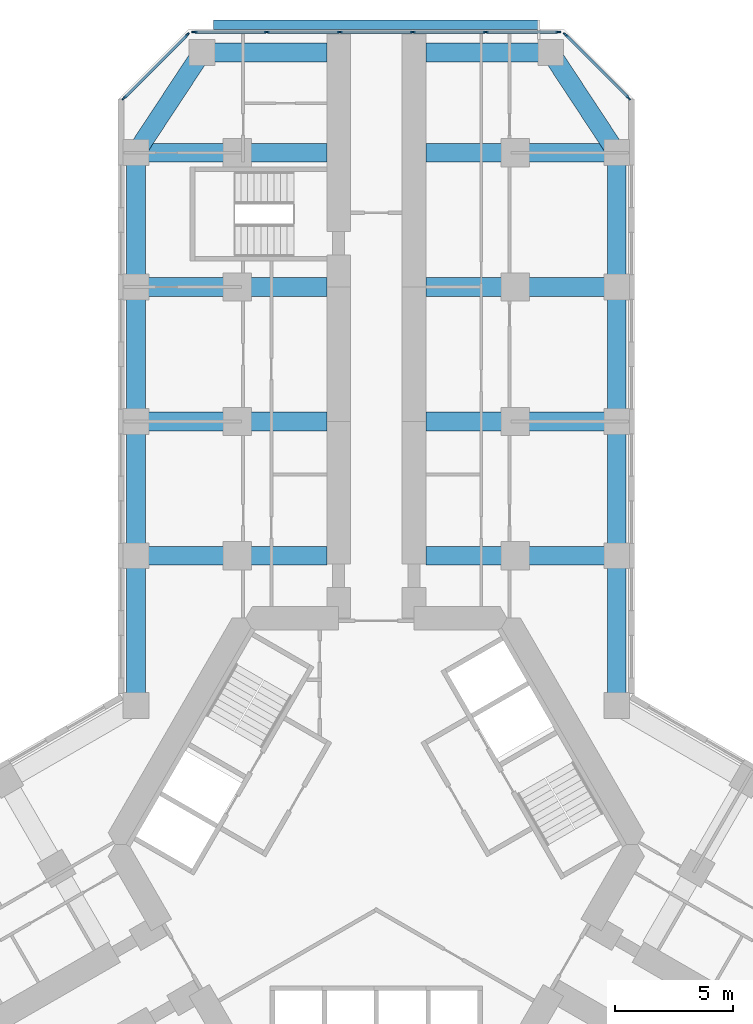
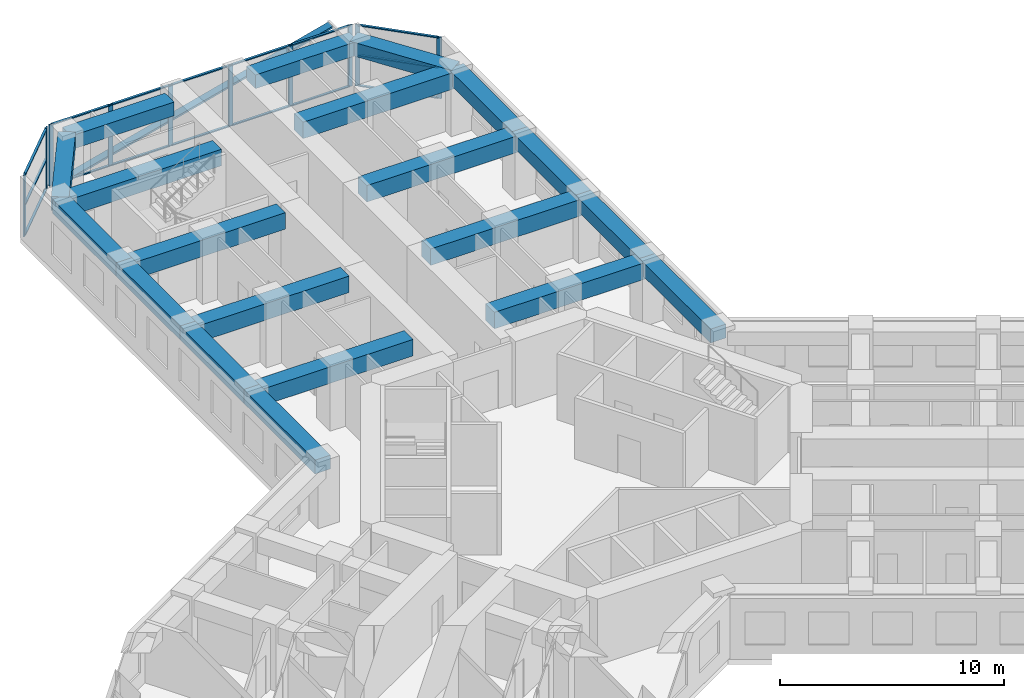
# One storey, part 5 of 18: 27 members, 20 beams, 3 elements without a shape of their own.
"""IFC4 building model written with IfcOpenShell, lengths in metres."""

from ifc_helpers import new_model, si_unit, direction, frame, origin, origin_2d, place, context, subcontext, project, spatial, rectangle, extrude, material, material_profile, profile_set, type_object, element, aggregate, save


model = new_model("IFC4")

# Units and contexts
model_context = context("Model", 3, precision=1e-05, world=origin(), true_north=direction((0.0, 1.0)))
body_context = subcontext(model_context, "Body", "Model", "MODEL_VIEW")
ifc_project = project(units=[si_unit("LENGTHUNIT", "METRE"), si_unit("AREAUNIT", "SQUARE_METRE"), si_unit("VOLUMEUNIT", "CUBIC_METRE"), si_unit("PLANEANGLEUNIT", "RADIAN"), si_unit("MASSUNIT", "GRAM", prefix="KILO")], contexts=[model_context])

# Site, building, storey
site_placement = place(None, origin())
site = spatial("IfcSite", under=ifc_project, at=site_placement, CompositionType="ELEMENT")
building_placement = place(site_placement, origin())
building = spatial("IfcBuilding", under=site, at=building_placement, Name="Kosmar Iwan School Tower", CompositionType="ELEMENT")
storey_placement = place(building_placement, frame((0.0, 0.0, 25.199951171875)))
storey = spatial("IfcBuildingStorey", under=building, at=storey_placement, Name="L05", CompositionType="ELEMENT", Elevation=25.199951171875)

# Member
ifc_material_1 = material(Name="Black anodised aluminium", Category="aluminium")
ifc_material_profile_1 = material_profile(ifc_material_1, rectangle(XDim=0.10009765625, YDim=0.39990234375, at=origin_2d()), Name="FIN 100x400")
ifc_profile_set_1 = profile_set([ifc_material_profile_1], Name="Black anodised aluminium")
member_type_1 = type_object("IfcMemberType", Name="Diagonal fin 100x400", PredefinedType="USERDEFINED", material=ifc_profile_set_1)
member_1_placement = place(storey_placement, frame((-6.898193359375, 34.780029296875, -0.14990234375), z_axis=(0.967603633438, 0.0, 0.252474174041), x_axis=(-0.252474174041, 0.0, 0.967603633438)))
element("IfcMember", 1, at=member_1_placement, inside=storey, type_object=member_type_1, Name="Diagonal fin L05-F08", ObjectType="FIN", PredefinedType="USERDEFINED", context=body_context, shape_type="SweptSolid", body=[
    extrude(rectangle(XDim=0.10009765625, YDim=0.39990234375, at=origin_2d()), origin(), (0.0, 0.0, 1.0), 14.25830078125),
])

# Curtain wall, members
ifc_material_2 = material(Name="Dark glass in black aluminium frame", Category="aluminium")
curtain_wall_type_1 = type_object("IfcCurtainWallType", Name="Chamfer curtain wall dark glass", PredefinedType="USERDEFINED", material=ifc_material_2)
curtain_wall_1_placement = place(storey_placement, origin())
curtain_wall_1 = element("IfcCurtainWall", 2, at=curtain_wall_1_placement, inside=storey, type_object=curtain_wall_type_1, Name="Curtain wall L05-F07", ObjectType="FACETED CURTAIN WALL", PredefinedType="USERDEFINED")
ifc_material_3 = material(Name="Black anodised aluminium", Category="aluminium")
ifc_material_profile_2 = material_profile(ifc_material_3, rectangle(XDim=0.06494140625, YDim=0.219970703125, at=origin_2d()), Name="MULLION 65x220")
ifc_profile_set_2 = profile_set([ifc_material_profile_2], Name="Black anodised aluminium")
member_type_2 = type_object("IfcMemberType", Name="Podium mullion 65x220", PredefinedType="MULLION", material=ifc_profile_set_2)
member_2_placement = place(storey_placement, frame((10.696044921875, 31.67724609375, 0.0), z_axis=(0.0, 0.0, 1.0), x_axis=(-0.707106781187, -0.707106781187, 0.0)))
member_2 = element("IfcMember", 3, at=member_2_placement, type_object=member_type_2, Name="CW2 mullion 1", PredefinedType="MULLION", context=body_context, shape_type="SweptSolid", body=[
    extrude(rectangle(XDim=0.06494140625, YDim=0.219970703125, at=origin_2d()), origin(), (0.0, 0.0, 1.0), 3.35009765625),
])
member_3_placement = place(storey_placement, frame((8.02734375, 34.345947265625, 0.0), z_axis=(0.0, 0.0, 1.0), x_axis=(-0.707106781187, -0.707106781187, 0.0)))
member_3 = element("IfcMember", 4, at=member_3_placement, type_object=member_type_2, Name="CW2 mullion 2", PredefinedType="MULLION", context=body_context, shape_type="SweptSolid", body=[
    extrude(rectangle(XDim=0.06494140625, YDim=0.219970703125, at=origin_2d()), origin(), (0.0, 0.0, 1.0), 3.35009765625),
])

ifc_material_4 = material(Name="Dark glass in black aluminium frame", Category="aluminium")
curtain_wall_type_2 = type_object("IfcCurtainWallType", Name="Tower curtain wall dark glass", PredefinedType="USERDEFINED", material=ifc_material_4)
curtain_wall_2_placement = place(storey_placement, origin())
curtain_wall_2 = element("IfcCurtainWall", 5, at=curtain_wall_2_placement, inside=storey, type_object=curtain_wall_type_2, Name="Curtain wall L05-F08", ObjectType="UNITISED CURTAIN WALL", PredefinedType="USERDEFINED")
member_4_placement = place(storey_placement, frame((7.7158203125, 34.47509765625, 0.0), z_axis=(0.0, 0.0, 1.0), x_axis=(0.0, -1.0, 0.0)))
member_4 = element("IfcMember", 6, at=member_4_placement, type_object=member_type_2, Name="CW1 mullion 1", PredefinedType="MULLION", context=body_context, shape_type="SweptSolid", body=[
    extrude(rectangle(XDim=0.06494140625, YDim=0.219970703125, at=origin_2d()), origin(), (0.0, 0.0, 1.0), 3.35009765625),
])
member_5_placement = place(storey_placement, frame((4.64892578125, 34.47509765625, 0.0), z_axis=(0.0, 0.0, 1.0), x_axis=(0.0, -1.0, 0.0)))
member_5 = element("IfcMember", 7, at=member_5_placement, type_object=member_type_2, Name="CW1 mullion 2", PredefinedType="MULLION", context=body_context, shape_type="SweptSolid", body=[
    extrude(rectangle(XDim=0.06494140625, YDim=0.219970703125, at=origin_2d()), origin(), (0.0, 0.0, 1.0), 3.35009765625),
])
member_6_placement = place(storey_placement, frame((1.549560546875, 34.47509765625, 0.0), z_axis=(0.0, 0.0, 1.0), x_axis=(0.0, -1.0, 0.0)))
member_6 = element("IfcMember", 8, at=member_6_placement, type_object=member_type_2, Name="CW1 mullion 3", PredefinedType="MULLION", context=body_context, shape_type="SweptSolid", body=[
    extrude(rectangle(XDim=0.06494140625, YDim=0.219970703125, at=origin_2d()), origin(), (0.0, 0.0, 1.0), 3.35009765625),
])
member_7_placement = place(storey_placement, frame((-1.549560546875, 34.47509765625, 0.0), z_axis=(0.0, 0.0, 1.0), x_axis=(0.0, -1.0, 0.0)))
member_7 = element("IfcMember", 9, at=member_7_placement, type_object=member_type_2, Name="CW1 mullion 4", PredefinedType="MULLION", context=body_context, shape_type="SweptSolid", body=[
    extrude(rectangle(XDim=0.06494140625, YDim=0.219970703125, at=origin_2d()), origin(), (0.0, 0.0, 1.0), 3.35009765625),
])
member_8_placement = place(storey_placement, frame((-4.64892578125, 34.47509765625, 0.0), z_axis=(0.0, 0.0, 1.0), x_axis=(0.0, -1.0, 0.0)))
member_8 = element("IfcMember", 10, at=member_8_placement, type_object=member_type_2, Name="CW1 mullion 5", PredefinedType="MULLION", context=body_context, shape_type="SweptSolid", body=[
    extrude(rectangle(XDim=0.06494140625, YDim=0.219970703125, at=origin_2d()), origin(), (0.0, 0.0, 1.0), 3.35009765625),
])
member_9_placement = place(storey_placement, frame((-7.7158203125, 34.47509765625, 0.0), z_axis=(0.0, 0.0, 1.0), x_axis=(0.0, -1.0, 0.0)))
member_9 = element("IfcMember", 11, at=member_9_placement, type_object=member_type_2, Name="CW1 mullion 6", PredefinedType="MULLION", context=body_context, shape_type="SweptSolid", body=[
    extrude(rectangle(XDim=0.06494140625, YDim=0.219970703125, at=origin_2d()), origin(), (0.0, 0.0, 1.0), 3.35009765625),
])

curtain_wall_3_placement = place(storey_placement, origin())
curtain_wall_3 = element("IfcCurtainWall", 12, at=curtain_wall_3_placement, inside=storey, type_object=curtain_wall_type_1, Name="Curtain wall L05-F09", ObjectType="FACETED CURTAIN WALL", PredefinedType="USERDEFINED")
member_10_placement = place(storey_placement, frame((-8.02734375, 34.345947265625, 0.0), z_axis=(0.0, 0.0, 1.0), x_axis=(0.707106781187, -0.707106781187, 0.0)))
member_10 = element("IfcMember", 13, at=member_10_placement, type_object=member_type_2, Name="CW2 mullion 1", PredefinedType="MULLION", context=body_context, shape_type="SweptSolid", body=[
    extrude(rectangle(XDim=0.06494140625, YDim=0.219970703125, at=origin_2d()), origin(), (0.0, 0.0, 1.0), 3.35009765625),
])
member_11_placement = place(storey_placement, frame((-10.696044921875, 31.67724609375, 0.0), z_axis=(0.0, 0.0, 1.0), x_axis=(0.707106781187, -0.707106781187, 0.0)))
member_11 = element("IfcMember", 14, at=member_11_placement, type_object=member_type_2, Name="CW2 mullion 2", PredefinedType="MULLION", context=body_context, shape_type="SweptSolid", body=[
    extrude(rectangle(XDim=0.06494140625, YDim=0.219970703125, at=origin_2d()), origin(), (0.0, 0.0, 1.0), 3.35009765625),
])

# Beams
ifc_material_5 = material(Name="Concrete C50/60", Category="concrete")
ifc_material_profile_3 = material_profile(ifc_material_5, rectangle(XDim=0.800048828125, YDim=0.75, at=origin_2d()), Name="RC 800x750")
ifc_profile_set_3 = profile_set([ifc_material_profile_3], Name="Concrete C50/60")
beam_type_1 = type_object("IfcBeamType", Name="RC edge beam 800x750", PredefinedType="BEAM", material=ifc_profile_set_3)
beam_1_placement = place(storey_placement, frame((-10.199951171875, 5.888916015625, 2.97509765625), z_axis=(0.0, 1.0, 0.0), x_axis=(-1.0, 0.0, 0.0)))
element("IfcBeam", 15, at=beam_1_placement, inside=storey, type_object=beam_type_1, Name="Edge beam AL1", PredefinedType="BEAM", context=body_context, shape_type="SweptSolid", body=[
    extrude(rectangle(XDim=0.800048828125, YDim=0.75, at=origin_2d()), origin(), (0.0, 0.0, 1.0), 6.361083984375),
])
for number, where, z_axis, x_axis, name in (
    (16, (-10.199951171875, 12.25, 2.97509765625), (0.0, 1.0, 0.0), (-1.0, 0.0, 0.0), "Edge beam AL2"),
    (17, (-10.199951171875, 17.949951171875, 2.97509765625), (0.0, 1.0, 0.0), (-1.0, 0.0, 0.0), "Edge beam AL3"),
):
    element("IfcBeam", number, at=place(storey_placement, frame(where, z_axis=z_axis, x_axis=x_axis)), inside=storey, type_object=beam_type_1, Name=name, PredefinedType="BEAM", context=body_context, shape_type="SweptSolid", body=[
        extrude(rectangle(XDim=0.800048828125, YDim=0.75, at=origin_2d()), origin(), (0.0, 0.0, 1.0), 5.699951171875),
    ])
beam_2_placement = place(storey_placement, frame((-10.199951171875, 23.64990234375, 2.97509765625), z_axis=(0.0, 1.0, 0.0), x_axis=(-1.0, 0.0, 0.0)))
element("IfcBeam", 18, at=beam_2_placement, inside=storey, type_object=beam_type_1, Name="Edge beam AL4", PredefinedType="BEAM", context=body_context, shape_type="SweptSolid", body=[
    extrude(rectangle(XDim=0.800048828125, YDim=0.75, at=origin_2d()), origin(), (0.0, 0.0, 1.0), 5.7001953125),
])
beam_3_placement = place(storey_placement, frame((10.199951171875, 5.888916015625, 2.97509765625), z_axis=(0.0, 1.0, 0.0), x_axis=(-1.0, 0.0, 0.0)))
element("IfcBeam", 19, at=beam_3_placement, inside=storey, type_object=beam_type_1, Name="Edge beam AR1", PredefinedType="BEAM", context=body_context, shape_type="SweptSolid", body=[
    extrude(rectangle(XDim=0.800048828125, YDim=0.75, at=origin_2d()), origin(), (0.0, 0.0, 1.0), 6.361083984375),
])
for number, where, z_axis, x_axis, name in (
    (20, (10.199951171875, 12.25, 2.97509765625), (0.0, 1.0, 0.0), (-1.0, 0.0, 0.0), "Edge beam AR2"),
    (21, (10.199951171875, 17.949951171875, 2.97509765625), (0.0, 1.0, 0.0), (-1.0, 0.0, 0.0), "Edge beam AR3"),
):
    element("IfcBeam", number, at=place(storey_placement, frame(where, z_axis=z_axis, x_axis=x_axis)), inside=storey, type_object=beam_type_1, Name=name, PredefinedType="BEAM", context=body_context, shape_type="SweptSolid", body=[
        extrude(rectangle(XDim=0.800048828125, YDim=0.75, at=origin_2d()), origin(), (0.0, 0.0, 1.0), 5.699951171875),
    ])
beam_4_placement = place(storey_placement, frame((10.199951171875, 23.64990234375, 2.97509765625), z_axis=(0.0, 1.0, 0.0), x_axis=(-1.0, 0.0, 0.0)))
element("IfcBeam", 22, at=beam_4_placement, inside=storey, type_object=beam_type_1, Name="Edge beam AR4", PredefinedType="BEAM", context=body_context, shape_type="SweptSolid", body=[
    extrude(rectangle(XDim=0.800048828125, YDim=0.75, at=origin_2d()), origin(), (0.0, 0.0, 1.0), 5.7001953125),
])
ifc_material_6 = material(Name="Concrete C50/60", Category="concrete")
ifc_material_profile_4 = material_profile(ifc_material_6, rectangle(XDim=0.800048828125, YDim=0.75, at=origin_2d()), Name="RC 800x750")
ifc_profile_set_4 = profile_set([ifc_material_profile_4], Name="Concrete C50/60")
beam_type_2 = type_object("IfcBeamType", Name="RC tip beam 800x750", PredefinedType="BEAM", material=ifc_profile_set_4)
beam_5_placement = place(storey_placement, frame((-10.199951171875, 29.35009765625, 2.97509765625), z_axis=(0.550164383043, 0.835056376319, 0.0), x_axis=(-0.835056376319, 0.550164383043, 0.0)))
element("IfcBeam", 23, at=beam_5_placement, inside=storey, type_object=beam_type_2, Name="Tip beam AL", PredefinedType="BEAM", context=body_context, shape_type="SweptSolid", body=[
    extrude(rectangle(XDim=0.800048828125, YDim=0.75, at=origin_2d()), origin(), (0.0, 0.0, 1.0), 5.08935546875),
])
beam_6_placement = place(storey_placement, frame((-7.39990234375, 33.60009765625, 2.97509765625), z_axis=(1.0, 0.0, 0.0), x_axis=(0.0, 1.0, 0.0)))
element("IfcBeam", 24, at=beam_6_placement, inside=storey, type_object=beam_type_2, Name="Tip beam AL to corridor wall", PredefinedType="BEAM", context=body_context, shape_type="SweptSolid", body=[
    extrude(rectangle(XDim=0.800048828125, YDim=0.75, at=origin_2d()), origin(), (0.0, 0.0, 1.0), 5.2998046875),
])
beam_7_placement = place(storey_placement, frame((10.199951171875, 29.35009765625, 2.97509765625), z_axis=(-0.550164383043, 0.835056376319, 0.0), x_axis=(-0.835056376319, -0.550164383043, 0.0)))
element("IfcBeam", 25, at=beam_7_placement, inside=storey, type_object=beam_type_2, Name="Tip beam AR", PredefinedType="BEAM", context=body_context, shape_type="SweptSolid", body=[
    extrude(rectangle(XDim=0.800048828125, YDim=0.75, at=origin_2d()), origin(), (0.0, 0.0, 1.0), 5.08935546875),
])
beam_8_placement = place(storey_placement, frame((7.39990234375, 33.60009765625, 2.97509765625), z_axis=(-1.0, 0.0, 0.0), x_axis=(0.0, -1.0, 0.0)))
element("IfcBeam", 26, at=beam_8_placement, inside=storey, type_object=beam_type_2, Name="Tip beam AR to corridor wall", PredefinedType="BEAM", context=body_context, shape_type="SweptSolid", body=[
    extrude(rectangle(XDim=0.800048828125, YDim=0.75, at=origin_2d()), origin(), (0.0, 0.0, 1.0), 5.2998046875),
])
ifc_material_7 = material(Name="Concrete C50/60", Category="concrete")
ifc_material_profile_5 = material_profile(ifc_material_7, rectangle(XDim=0.800048828125, YDim=0.89990234375, at=origin_2d()), Name="RC 800x900")
ifc_profile_set_5 = profile_set([ifc_material_profile_5], Name="Concrete C50/60")
beam_type_3 = type_object("IfcBeamType", Name="RC transverse beam 800x900", PredefinedType="BEAM", material=ifc_profile_set_5)
for number, where, z_axis, x_axis, name in (
    (27, (-10.199951171875, 12.25, 2.900146484375), (1.0, 0.0, 0.0), (0.0, 1.0, 0.0), "Transverse beam AL1"),
    (28, (-10.199951171875, 17.949951171875, 2.900146484375), (1.0, 0.0, 0.0), (0.0, 1.0, 0.0), "Transverse beam AL2"),
    (29, (-10.199951171875, 23.64990234375, 2.900146484375), (1.0, 0.0, 0.0), (0.0, 1.0, 0.0), "Transverse beam AL3"),
    (30, (-10.199951171875, 29.35009765625, 2.900146484375), (1.0, 0.0, 0.0), (0.0, 1.0, 0.0), "Transverse beam AL4"),
    (31, (10.199951171875, 12.25, 2.900146484375), (-1.0, 0.0, 0.0), (0.0, -1.0, 0.0), "Transverse beam AR1"),
    (32, (10.199951171875, 17.949951171875, 2.900146484375), (-1.0, 0.0, 0.0), (0.0, -1.0, 0.0), "Transverse beam AR2"),
    (33, (10.199951171875, 23.64990234375, 2.900146484375), (-1.0, 0.0, 0.0), (0.0, -1.0, 0.0), "Transverse beam AR3"),
    (34, (10.199951171875, 29.35009765625, 2.900146484375), (-1.0, 0.0, 0.0), (0.0, -1.0, 0.0), "Transverse beam AR4"),
):
    element("IfcBeam", number, at=place(storey_placement, frame(where, z_axis=z_axis, x_axis=x_axis)), inside=storey, type_object=beam_type_3, Name=name, PredefinedType="BEAM", context=body_context, shape_type="SweptSolid", body=[
        extrude(rectangle(XDim=0.800048828125, YDim=0.89990234375, at=origin_2d()), origin(), (0.0, 0.0, 1.0), 8.099853515625),
    ])

# Member
ifc_material_8 = material(Name="Black anodised aluminium", Category="aluminium")
ifc_material_profile_6 = material_profile(ifc_material_8, rectangle(XDim=0.1201171875, YDim=0.06005859375, at=origin_2d()), Name="TRANSOM 60x120")
ifc_profile_set_6 = profile_set([ifc_material_profile_6], Name="Black anodised aluminium")
member_type_3 = type_object("IfcMemberType", Name="Transom 60x120", PredefinedType="USERDEFINED", material=ifc_profile_set_6)
member_12_placement = place(storey_placement, frame((10.6728515625, 31.7001953125, 0.030029296875), z_axis=(-0.707073868772, 0.70713969207, 0.0), x_axis=(-0.70713969207, -0.707073868772, 0.0)))
member_12 = element("IfcMember", 35, at=member_12_placement, type_object=member_type_3, Name="CW2 transom 1.1", ObjectType="TRANSOM", PredefinedType="USERDEFINED", context=body_context, shape_type="SweptSolid", body=[
    extrude(rectangle(XDim=0.1201171875, YDim=0.06005859375, at=origin_2d()), origin(), (0.0, 0.0, 1.0), 3.708984375),
])

member_13_placement = place(storey_placement, frame((10.6728515625, 31.7001953125, 1.675048828125), z_axis=(-0.707073868772, 0.70713969207, 0.0), x_axis=(-0.70713969207, -0.707073868772, 0.0)))
member_13 = element("IfcMember", 36, at=member_13_placement, type_object=member_type_3, Name="CW2 transom 1.2", ObjectType="TRANSOM", PredefinedType="USERDEFINED", context=body_context, shape_type="SweptSolid", body=[
    extrude(rectangle(XDim=0.1201171875, YDim=0.06005859375, at=origin_2d()), origin(), (0.0, 0.0, 1.0), 3.708984375),
])

member_14_placement = place(storey_placement, frame((10.6728515625, 31.7001953125, 3.320068359375), z_axis=(-0.707073868772, 0.70713969207, 0.0), x_axis=(-0.70713969207, -0.707073868772, 0.0)))
member_14 = element("IfcMember", 37, at=member_14_placement, type_object=member_type_3, Name="CW2 transom 1.3", ObjectType="TRANSOM", PredefinedType="USERDEFINED", context=body_context, shape_type="SweptSolid", body=[
    extrude(rectangle(XDim=0.1201171875, YDim=0.06005859375, at=origin_2d()), origin(), (0.0, 0.0, 1.0), 3.708984375),
])

aggregate(curtain_wall_1, [member_2, member_3, member_12, member_13, member_14])

member_15_placement = place(storey_placement, frame((7.68310546875, 34.47509765625, 0.030029296875), z_axis=(-1.0, 0.0, 0.0), x_axis=(0.0, -1.0, 0.0)))
member_15 = element("IfcMember", 38, at=member_15_placement, type_object=member_type_3, Name="CW1 transom 1.1", ObjectType="TRANSOM", PredefinedType="USERDEFINED", context=body_context, shape_type="SweptSolid", body=[
    extrude(rectangle(XDim=0.1201171875, YDim=0.06005859375, at=origin_2d()), origin(), (0.0, 0.0, 1.0), 3.001708984375),
])

member_16_placement = place(storey_placement, frame((7.68310546875, 34.47509765625, 3.320068359375), z_axis=(-1.0, 0.0, 0.0), x_axis=(0.0, -1.0, 0.0)))
member_16 = element("IfcMember", 39, at=member_16_placement, type_object=member_type_3, Name="CW1 transom 1.2", ObjectType="TRANSOM", PredefinedType="USERDEFINED", context=body_context, shape_type="SweptSolid", body=[
    extrude(rectangle(XDim=0.1201171875, YDim=0.06005859375, at=origin_2d()), origin(), (0.0, 0.0, 1.0), 3.001708984375),
])

member_17_placement = place(storey_placement, frame((4.616455078125, 34.47509765625, 0.030029296875), z_axis=(-1.0, 0.0, 0.0), x_axis=(0.0, -1.0, 0.0)))
member_17 = element("IfcMember", 40, at=member_17_placement, type_object=member_type_3, Name="CW1 transom 2.1", ObjectType="TRANSOM", PredefinedType="USERDEFINED", context=body_context, shape_type="SweptSolid", body=[
    extrude(rectangle(XDim=0.1201171875, YDim=0.06005859375, at=origin_2d()), origin(), (0.0, 0.0, 1.0), 3.034423828125),
])

member_18_placement = place(storey_placement, frame((4.616455078125, 34.47509765625, 3.320068359375), z_axis=(-1.0, 0.0, 0.0), x_axis=(0.0, -1.0, 0.0)))
member_18 = element("IfcMember", 41, at=member_18_placement, type_object=member_type_3, Name="CW1 transom 2.2", ObjectType="TRANSOM", PredefinedType="USERDEFINED", context=body_context, shape_type="SweptSolid", body=[
    extrude(rectangle(XDim=0.1201171875, YDim=0.06005859375, at=origin_2d()), origin(), (0.0, 0.0, 1.0), 3.034423828125),
])

member_19_placement = place(storey_placement, frame((1.51708984375, 34.47509765625, 0.030029296875), z_axis=(-1.0, 0.0, 0.0), x_axis=(0.0, -1.0, 0.0)))
member_19 = element("IfcMember", 42, at=member_19_placement, type_object=member_type_3, Name="CW1 transom 3.1", ObjectType="TRANSOM", PredefinedType="USERDEFINED", context=body_context, shape_type="SweptSolid", body=[
    extrude(rectangle(XDim=0.1201171875, YDim=0.06005859375, at=origin_2d()), origin(), (0.0, 0.0, 1.0), 3.0341796875),
])

member_20_placement = place(storey_placement, frame((1.51708984375, 34.47509765625, 3.320068359375), z_axis=(-1.0, 0.0, 0.0), x_axis=(0.0, -1.0, 0.0)))
member_20 = element("IfcMember", 43, at=member_20_placement, type_object=member_type_3, Name="CW1 transom 3.2", ObjectType="TRANSOM", PredefinedType="USERDEFINED", context=body_context, shape_type="SweptSolid", body=[
    extrude(rectangle(XDim=0.1201171875, YDim=0.06005859375, at=origin_2d()), origin(), (0.0, 0.0, 1.0), 3.0341796875),
])

member_21_placement = place(storey_placement, frame((-1.58203125, 34.47509765625, 0.030029296875), z_axis=(-1.0, 0.0, 0.0), x_axis=(0.0, -1.0, 0.0)))
member_21 = element("IfcMember", 44, at=member_21_placement, type_object=member_type_3, Name="CW1 transom 4.1", ObjectType="TRANSOM", PredefinedType="USERDEFINED", context=body_context, shape_type="SweptSolid", body=[
    extrude(rectangle(XDim=0.1201171875, YDim=0.06005859375, at=origin_2d()), origin(), (0.0, 0.0, 1.0), 3.034423828125),
])

member_22_placement = place(storey_placement, frame((-1.58203125, 34.47509765625, 3.320068359375), z_axis=(-1.0, 0.0, 0.0), x_axis=(0.0, -1.0, 0.0)))
member_22 = element("IfcMember", 45, at=member_22_placement, type_object=member_type_3, Name="CW1 transom 4.2", ObjectType="TRANSOM", PredefinedType="USERDEFINED", context=body_context, shape_type="SweptSolid", body=[
    extrude(rectangle(XDim=0.1201171875, YDim=0.06005859375, at=origin_2d()), origin(), (0.0, 0.0, 1.0), 3.034423828125),
])

member_23_placement = place(storey_placement, frame((-4.681396484375, 34.47509765625, 0.030029296875), z_axis=(-1.0, 0.0, 0.0), x_axis=(0.0, -1.0, 0.0)))
member_23 = element("IfcMember", 46, at=member_23_placement, type_object=member_type_3, Name="CW1 transom 5.1", ObjectType="TRANSOM", PredefinedType="USERDEFINED", context=body_context, shape_type="SweptSolid", body=[
    extrude(rectangle(XDim=0.1201171875, YDim=0.06005859375, at=origin_2d()), origin(), (0.0, 0.0, 1.0), 3.001708984375),
])

member_24_placement = place(storey_placement, frame((-4.681396484375, 34.47509765625, 3.320068359375), z_axis=(-1.0, 0.0, 0.0), x_axis=(0.0, -1.0, 0.0)))
member_24 = element("IfcMember", 47, at=member_24_placement, type_object=member_type_3, Name="CW1 transom 5.2", ObjectType="TRANSOM", PredefinedType="USERDEFINED", context=body_context, shape_type="SweptSolid", body=[
    extrude(rectangle(XDim=0.1201171875, YDim=0.06005859375, at=origin_2d()), origin(), (0.0, 0.0, 1.0), 3.001708984375),
])

aggregate(curtain_wall_2, [member_4, member_5, member_6, member_7, member_8, member_9, member_15, member_16, member_17, member_18, member_19, member_20, member_21, member_22, member_23, member_24])

member_25_placement = place(storey_placement, frame((-8.05029296875, 34.322998046875, 0.030029296875), z_axis=(-0.707073868772, -0.70713969207, 0.0), x_axis=(0.70713969207, -0.707073868772, 0.0)))
member_25 = element("IfcMember", 48, at=member_25_placement, type_object=member_type_3, Name="CW2 transom 1.1", ObjectType="TRANSOM", PredefinedType="USERDEFINED", context=body_context, shape_type="SweptSolid", body=[
    extrude(rectangle(XDim=0.1201171875, YDim=0.06005859375, at=origin_2d()), origin(), (0.0, 0.0, 1.0), 3.708984375),
])

member_26_placement = place(storey_placement, frame((-8.05029296875, 34.322998046875, 1.675048828125), z_axis=(-0.707073868772, -0.70713969207, 0.0), x_axis=(0.70713969207, -0.707073868772, 0.0)))
member_26 = element("IfcMember", 49, at=member_26_placement, type_object=member_type_3, Name="CW2 transom 1.2", ObjectType="TRANSOM", PredefinedType="USERDEFINED", context=body_context, shape_type="SweptSolid", body=[
    extrude(rectangle(XDim=0.1201171875, YDim=0.06005859375, at=origin_2d()), origin(), (0.0, 0.0, 1.0), 3.708984375),
])

member_27_placement = place(storey_placement, frame((-8.05029296875, 34.322998046875, 3.320068359375), z_axis=(-0.707073868772, -0.70713969207, 0.0), x_axis=(0.70713969207, -0.707073868772, 0.0)))
member_27 = element("IfcMember", 50, at=member_27_placement, type_object=member_type_3, Name="CW2 transom 1.3", ObjectType="TRANSOM", PredefinedType="USERDEFINED", context=body_context, shape_type="SweptSolid", body=[
    extrude(rectangle(XDim=0.1201171875, YDim=0.06005859375, at=origin_2d()), origin(), (0.0, 0.0, 1.0), 3.708984375),
])

aggregate(curtain_wall_3, [member_10, member_11, member_25, member_26, member_27])

save(model, "model.ifc")
